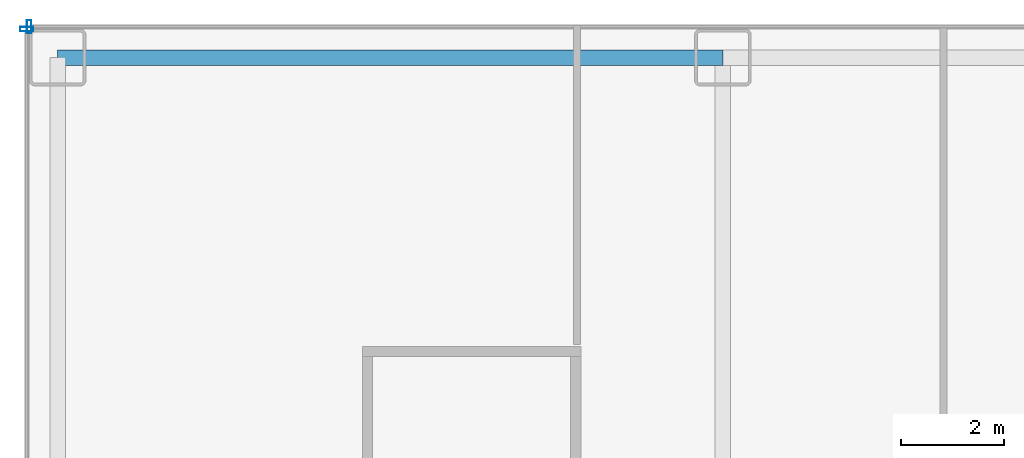
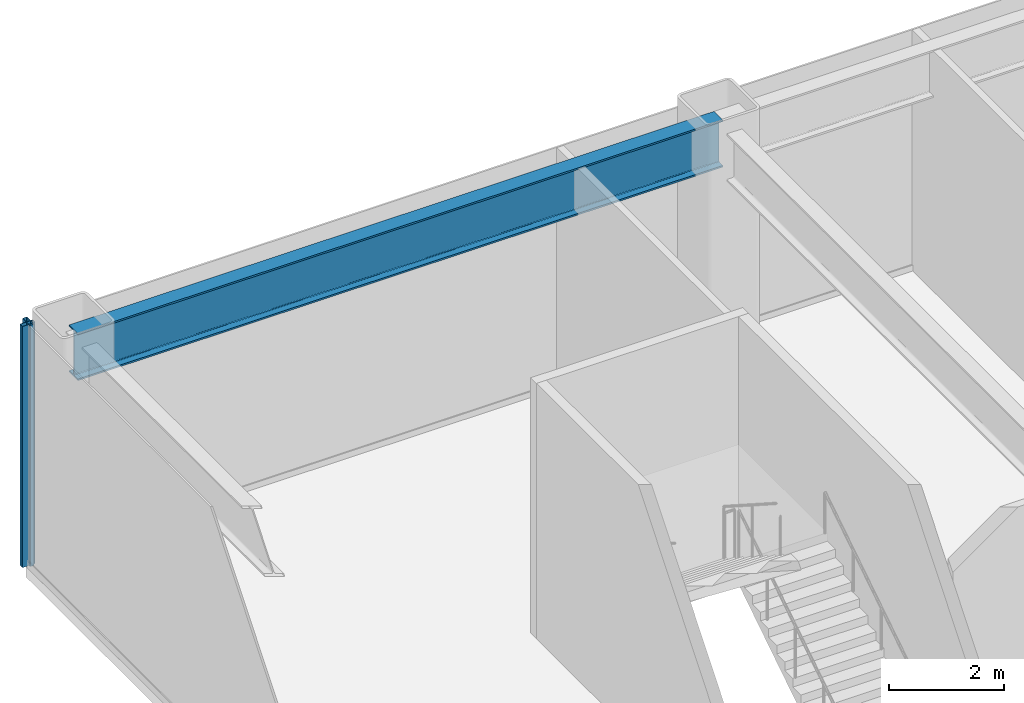
# One storey, part 8 of 24: 2 members, 1 beam, 2 elements without a shape of their own.
"""IFC4 building model written with IfcOpenShell, lengths in metres."""

import ifcopenshell
import ifcopenshell.guid

model = None  # the IFC model being written
_history = None  # IfcOwnerHistory: only IFC2X3 demands one
_inside = {}  # id of a spatial element -> (the spatial element, [elements in it])
_under = {}  # id of a project, library or spatial element -> (it, [spatial elements below it])
_declared = {}  # id of a project -> (the project, [libraries it declares])
_typed = {}  # id of a type object -> (the type object, [elements of that type])
_made_of = {}  # id of a material, layer set ... -> (it, [elements and type objects made of it])


def new_model(schema):
    """Start an empty IFC model of exactly this schema.

    Asked for "IFC4X3", IfcOpenShell would pick the latest addendum, in which some entities
    have other attributes; the version numbers below select the first issue.
    IFC2X3 requires an IfcOwnerHistory on every rooted entity: one is made here for all.
    """
    global model, _history
    if schema == "IFC4X3":
        model = ifcopenshell.file(schema_version=(4, 3, 0, 0))
    else:
        model = ifcopenshell.file(schema=schema)
    _inside.clear()
    _under.clear()
    _declared.clear()
    _typed.clear()
    _made_of.clear()
    _history = None
    if model.schema == "IFC2X3":
        org = make("IfcOrganization", Name="unknown")
        user = make(
            "IfcPersonAndOrganization",
            ThePerson=make("IfcPerson", FamilyName="unknown"),
            TheOrganization=org,
        )
        app = make(
            "IfcApplication",
            ApplicationDeveloper=org,
            Version="unknown",
            ApplicationFullName="unknown",
            ApplicationIdentifier="unknown",
        )
        _history = make(
            "IfcOwnerHistory",
            OwningUser=user,
            OwningApplication=app,
            ChangeAction="ADDED",
            CreationDate=0,
        )
    return model


def make(cls, **values):
    """One entity of the class cls with the attributes given. An attribute that is None is left unset."""
    return model.create_entity(
        cls, **{name: value for name, value in values.items() if value is not None}
    )


def rooted(cls, **values):
    """An entity with a GlobalId (a new one), such as an element, a storey or a relation."""
    return make(cls, GlobalId=ifcopenshell.guid.new(), OwnerHistory=_history, **values)


def si_unit(unit_type, name, prefix=None):
    """IfcSIUnit, for example si_unit("LENGTHUNIT", "METRE", prefix="MILLI")."""
    return make("IfcSIUnit", UnitType=unit_type, Prefix=prefix, Name=name)


def assignment(units):
    """IfcUnitAssignment: the units of a project."""
    return None if units is None else make("IfcUnitAssignment", Units=units)


def point(xyz):
    """IfcCartesianPoint."""
    return None if xyz is None else make("IfcCartesianPoint", Coordinates=xyz)


def direction(xyz):
    """IfcDirection."""
    return None if xyz is None else make("IfcDirection", DirectionRatios=xyz)


def frame(location, z_axis=None, x_axis=None):
    """IfcAxis2Placement3D, a coordinate frame: its origin and axes. An axis left out is left unset."""
    return make(
        "IfcAxis2Placement3D",
        Location=point(location),
        Axis=direction(z_axis),
        RefDirection=direction(x_axis),
    )


def frame_2d(location, x_axis=None):
    """IfcAxis2Placement2D, a coordinate frame in the plane: its origin and x axis."""
    return make(
        "IfcAxis2Placement2D", Location=point(location), RefDirection=direction(x_axis)
    )


def origin():
    """The frame at (0, 0, 0) with its axes left unset."""
    return frame((0.0, 0.0, 0.0))


def origin_2d():
    """The frame at (0, 0) in the plane with its x axis left unset."""
    return frame_2d((0.0, 0.0))


def place(relative_to, where):
    """IfcLocalPlacement: puts the frame where relative to a parent placement (None: the world)."""
    return make(
        "IfcLocalPlacement", PlacementRelTo=relative_to, RelativePlacement=where
    )


def context(
    kind, dimensions, precision=None, world=None, true_north=None, identifier=None
):
    """IfcGeometricRepresentationContext, for example the 3D "Model" context."""
    return make(
        "IfcGeometricRepresentationContext",
        ContextIdentifier=identifier,
        ContextType=kind,
        CoordinateSpaceDimension=dimensions,
        Precision=precision,
        WorldCoordinateSystem=world,
        TrueNorth=true_north,
    )


def subcontext(parent, identifier, kind, view, scale=None):
    """IfcGeometricRepresentationSubContext, for example "Body" below "Model"."""
    return make(
        "IfcGeometricRepresentationSubContext",
        ContextIdentifier=identifier,
        ContextType=kind,
        ParentContext=parent,
        TargetScale=scale,
        TargetView=view,
    )


def project(units=None, contexts=None):
    """IfcProject with its units and contexts."""
    return rooted(
        "IfcProject",
        Name="project",
        RepresentationContexts=contexts,
        UnitsInContext=assignment(units),
    )


def spatial(cls, under=None, at=None, **own):
    """A site, building, storey or space (cls), placed at a placement, below another one or the project."""
    s = rooted(cls, ObjectPlacement=at, **own)
    if under is not None:
        _under.setdefault(under.id(), (under, []))[1].append(s)
    return s


def profile(cls, at=None, kind="AREA", **sizes):
    """A parametric profile (cls). Its sizes go by their IFC names, for example OverallWidth=200.0."""
    return make(cls, ProfileType=kind, Position=at, **sizes)


def hollow_rectangle(**sizes):
    """IfcRectangleHollowProfileDef."""
    return profile("IfcRectangleHollowProfileDef", **sizes)


def i_section(**sizes):
    """IfcIShapeProfileDef."""
    return profile("IfcIShapeProfileDef", **sizes)


def extrude(swept, where, along, depth):
    """IfcExtrudedAreaSolid: the profile swept, set in the frame where, extruded along a direction by depth."""
    return make(
        "IfcExtrudedAreaSolid",
        SweptArea=swept,
        Position=where,
        ExtrudedDirection=direction(along),
        Depth=depth,
    )


def shape(context_of_items, identifier, shape_type, items):
    """IfcShapeRepresentation: the items that make up one representation, for example the "Body"."""
    return make(
        "IfcShapeRepresentation",
        ContextOfItems=context_of_items,
        RepresentationIdentifier=identifier,
        RepresentationType=shape_type,
        Items=items,
    )


def source(mapping_origin, context_of_items, identifier, shape_type, items):
    """IfcRepresentationMap: a shape defined once, which mapped items show again and again."""
    return make(
        "IfcRepresentationMap",
        MappingOrigin=mapping_origin,
        MappedRepresentation=shape(context_of_items, identifier, shape_type, items),
    )


def transform(
    local_origin,
    x_axis=None,
    y_axis=None,
    z_axis=None,
    scale=None,
    scale2=None,
    scale3=None,
    uniform=True,
):
    """IfcCartesianTransformationOperator3D, or its non-uniform kind. x_axis, y_axis, z_axis: its Axis1, 2, 3."""
    if uniform:
        return make(
            "IfcCartesianTransformationOperator3D",
            Axis1=direction(x_axis),
            Axis2=direction(y_axis),
            LocalOrigin=point(local_origin),
            Scale=scale,
            Axis3=direction(z_axis),
        )
    return make(
        "IfcCartesianTransformationOperator3DnonUniform",
        Axis1=direction(x_axis),
        Axis2=direction(y_axis),
        LocalOrigin=point(local_origin),
        Scale=scale,
        Axis3=direction(z_axis),
        Scale2=scale2,
        Scale3=scale3,
    )


def mapped(mapping_source, mapping_target):
    """IfcMappedItem: shows the shape of a source again, moved by a transform."""
    return make(
        "IfcMappedItem", MappingSource=mapping_source, MappingTarget=mapping_target
    )


def material(Name=None, Category=None):
    """IfcMaterial."""
    return make("IfcMaterial", Name=Name, Category=Category)


def layer(
    of_material, thickness, ventilated=None, Name=None, Category=None, Priority=None
):
    """IfcMaterialLayer: one layer of a wall or slab, of a material (None: an air gap)."""
    return make(
        "IfcMaterialLayer",
        Material=of_material,
        LayerThickness=thickness,
        IsVentilated=ventilated,
        Name=Name,
        Category=Category,
        Priority=Priority,
    )


def layer_set(layers, Name=None):
    """IfcMaterialLayerSet."""
    return make("IfcMaterialLayerSet", MaterialLayers=layers, LayerSetName=Name)


def material_profile(
    of_material, cross_section, Name=None, Category=None, Priority=None
):
    """IfcMaterialProfile: a cross section and its material."""
    return make(
        "IfcMaterialProfile",
        Name=Name,
        Material=of_material,
        Profile=cross_section,
        Priority=Priority,
        Category=Category,
    )


def profile_set(profiles, Name=None, composite=None):
    """IfcMaterialProfileSet."""
    return make(
        "IfcMaterialProfileSet",
        Name=Name,
        MaterialProfiles=profiles,
        CompositeProfile=composite,
    )


def made_of(thing, what):
    """Note that an element or type object is made of a material, layer set ...; save() writes the relation."""
    if what is not None:
        _made_of.setdefault(what.id(), (what, []))[1].append(thing)
    return thing


def type_object(cls, material=None, **own):
    """A type object (cls), such as IfcWallType, which elements share."""
    return made_of(rooted(cls, **own), material)


def element(
    cls,
    number,
    at=None,
    inside=None,
    cuts=None,
    type_object=None,
    material=None,
    context=None,
    identifier="Body",
    shape_type=None,
    held_by="IfcProductDefinitionShape",
    body=None,
    shapes=None,
    **own,
):
    """One element of the class cls, such as IfcWall. Its Tag is "e" and its number.

    at: its placement. inside: the storey or other place that contains it. cuts: it is an
    opening in that element (IfcRelVoidsElement). A single representation is given by context,
    identifier, shape_type and body (its items); several are given by shapes. held_by: the class
    of the entity that holds the representations. save() writes the other relations.
    """
    e = rooted(cls, Tag="e%d" % number, ObjectPlacement=at, **own)
    if body is not None:
        shapes = [shape(context, identifier, shape_type, body)]
    if shapes is not None:
        e.Representation = make(held_by, Representations=shapes)
    if inside is not None:
        _inside.setdefault(inside.id(), (inside, []))[1].append(e)
    if cuts is not None:
        rooted(
            "IfcRelVoidsElement", RelatingBuildingElement=cuts, RelatedOpeningElement=e
        )
    if type_object is not None:
        _typed.setdefault(type_object.id(), (type_object, []))[1].append(e)
    return made_of(e, material)


def aggregate(whole, parts):
    """IfcRelAggregates: a whole, such as a stair, and the parts it consists of."""
    return rooted("IfcRelAggregates", RelatingObject=whole, RelatedObjects=parts)


def save(model, path):
    """Write the relations noted so far, then the file.

    IfcRelAggregates (storeys below a building ...), IfcRelContainedInSpatialStructure (elements
    in a storey), IfcRelDefinesByType, IfcRelAssociatesMaterial and IfcRelDeclares: one each for
    every whole, place, type object, material and project.
    """
    for whole, parts in _under.values():
        aggregate(whole, parts)
    for where, things in _inside.values():
        rooted(
            "IfcRelContainedInSpatialStructure",
            RelatedElements=things,
            RelatingStructure=where,
        )
    for kind, things in _typed.values():
        rooted("IfcRelDefinesByType", RelatedObjects=things, RelatingType=kind)
    for what, things in _made_of.values():
        rooted("IfcRelAssociatesMaterial", RelatedObjects=things, RelatingMaterial=what)
    for by, libraries in _declared.values():
        rooted("IfcRelDeclares", RelatingContext=by, RelatedDefinitions=libraries)
    model.write(path)


model = new_model("IFC4")

# Units and contexts
model_context = context("Model", 3, precision=1e-05, world=origin(), true_north=direction((0.0, 1.0)))
body_context = subcontext(model_context, "Body", "Model", "MODEL_VIEW")
ifc_project = project(units=[si_unit("LENGTHUNIT", "METRE"), si_unit("AREAUNIT", "SQUARE_METRE"), si_unit("VOLUMEUNIT", "CUBIC_METRE"), si_unit("PLANEANGLEUNIT", "RADIAN"), si_unit("MASSUNIT", "GRAM", prefix="KILO")], contexts=[model_context])

# Site, building, storey
site_placement = place(None, origin())
site = spatial("IfcSite", under=ifc_project, at=site_placement, CompositionType="ELEMENT")
building_placement = place(site_placement, origin())
building = spatial("IfcBuilding", under=site, at=building_placement, Name="Nefas-Gora Pilgrimage Tower", CompositionType="ELEMENT")
storey_placement = place(building_placement, frame((0.0, 0.0, 6.0)))
storey = spatial("IfcBuildingStorey", under=building, at=storey_placement, Name="L01", CompositionType="ELEMENT", Elevation=6.0)

# Beam
ifc_material_1 = material(Name="Steel S460", Category="steel")
ifc_material_profile_1 = material_profile(ifc_material_1, i_section(OverallWidth=0.300048828125, OverallDepth=1.0, WebThickness=0.01904296875, FlangeThickness=0.035888671875, FilletRadius=0.030029296875, at=origin_2d()), Name="HEB 1000")
ifc_profile_set_1 = profile_set([ifc_material_profile_1], Name="Steel S460")
beam_type = type_object("IfcBeamType", Name="BM-POD-HEB1000E", PredefinedType="BEAM", material=ifc_profile_set_1)
shared_shape_1 = source(origin(), body_context, "Body", "SweptSolid", [
    extrude(i_section(OverallWidth=0.300048828125, OverallDepth=1.0, WebThickness=0.01904296875, FlangeThickness=0.035888671875, FilletRadius=0.030029296875, at=origin_2d()), origin(), (0.0, 0.0, 1.0), 12.89990234375),
])
beam_placement = place(storey_placement, frame((-37.64990234375, 24.60009765625, 4.60009765625), z_axis=(1.0, 0.0, 0.0), x_axis=(0.0, 1.0, 0.0)))
element("IfcBeam", 1, at=beam_placement, inside=storey, type_object=beam_type, Name="L01 PG-01E beam", PredefinedType="BEAM", context=body_context, shape_type="MappedRepresentation", body=[
    mapped(shared_shape_1, transform((0.0, 0.0, 0.0), x_axis=(1.0, 0.0, 0.0), y_axis=(0.0, 1.0, 0.0), z_axis=(0.0, 0.0, 1.0), scale=1.0)),
])

# Curtain wall, member
ifc_material_2 = material(Name="Dark ceramic-fritted solar-control aluminium-glass curtain wall", Category="aluminium")
ifc_layer = layer(ifc_material_2, 0.219970703125)
ifc_layer_set = layer_set([ifc_layer], Name="Dark ceramic-fritted solar-control aluminium-glass curtain wall")
curtain_wall_type = type_object("IfcCurtainWallType", Name="CW-SYS-1", PredefinedType="NOTDEFINED", material=ifc_layer_set)
curtain_wall_1_placement = place(storey_placement, origin())
curtain_wall_1 = element("IfcCurtainWall", 2, at=curtain_wall_1_placement, inside=storey, type_object=curtain_wall_type, Name="L01 Unitised Curtain Wall CW1", PredefinedType="NOTDEFINED")
ifc_material_3 = material(Name="Anodised architectural aluminium", Category="aluminium")
ifc_material_profile_2 = material_profile(ifc_material_3, hollow_rectangle(XDim=0.090087890625, YDim=0.260009765625, WallThickness=0.006103515625, InnerFilletRadius=0.006103515625, OuterFilletRadius=0.011962890625, at=origin_2d()), Name="ALU MULLION 90x260")
ifc_profile_set_2 = profile_set([ifc_material_profile_2], Name="Anodised architectural aluminium")
member_type = type_object("IfcMemberType", Name="CWM-MUL-1", PredefinedType="MULLION", material=ifc_profile_set_2)
shared_shape_2 = source(origin(), body_context, "Body", "SweptSolid", [
    extrude(hollow_rectangle(XDim=0.090087890625, YDim=0.260009765625, WallThickness=0.006103515625, InnerFilletRadius=0.006103515625, OuterFilletRadius=0.011962890625, at=origin_2d()), origin(), (0.0, 0.0, 1.0), 5.10009765625),
])
member_1_placement = place(storey_placement, frame((-38.205078125, 25.199951171875, 0.0), z_axis=(0.0, 0.0, 1.0), x_axis=(-1.0, 0.0, 0.0)))
member_1 = element("IfcMember", 3, at=member_1_placement, type_object=member_type, Name="CW1 Mullion 3", PredefinedType="MULLION", context=body_context, shape_type="MappedRepresentation", body=[
    mapped(shared_shape_2, transform((0.0, 0.0, 0.0), x_axis=(1.0, 0.0, 0.0), y_axis=(0.0, 1.0, 0.0), z_axis=(0.0, 0.0, 1.0), scale=1.0)),
])
aggregate(curtain_wall_1, [member_1])

curtain_wall_2_placement = place(storey_placement, origin())
curtain_wall_2 = element("IfcCurtainWall", 4, at=curtain_wall_2_placement, inside=storey, type_object=curtain_wall_type, Name="L01 Unitised Curtain Wall CW1", PredefinedType="NOTDEFINED")
member_2_placement = place(storey_placement, frame((-38.25, 25.155029296875, 0.0), z_axis=(0.0, 0.0, 1.0), x_axis=(0.0, -1.0, 0.0)))
member_2 = element("IfcMember", 5, at=member_2_placement, type_object=member_type, Name="CW1 Mullion 1", PredefinedType="MULLION", context=body_context, shape_type="MappedRepresentation", body=[
    mapped(shared_shape_2, transform((0.0, 0.0, 0.0), x_axis=(1.0, 0.0, 0.0), y_axis=(0.0, 1.0, 0.0), z_axis=(0.0, 0.0, 1.0), scale=1.0)),
])
aggregate(curtain_wall_2, [member_2])

save(model, "model.ifc")
